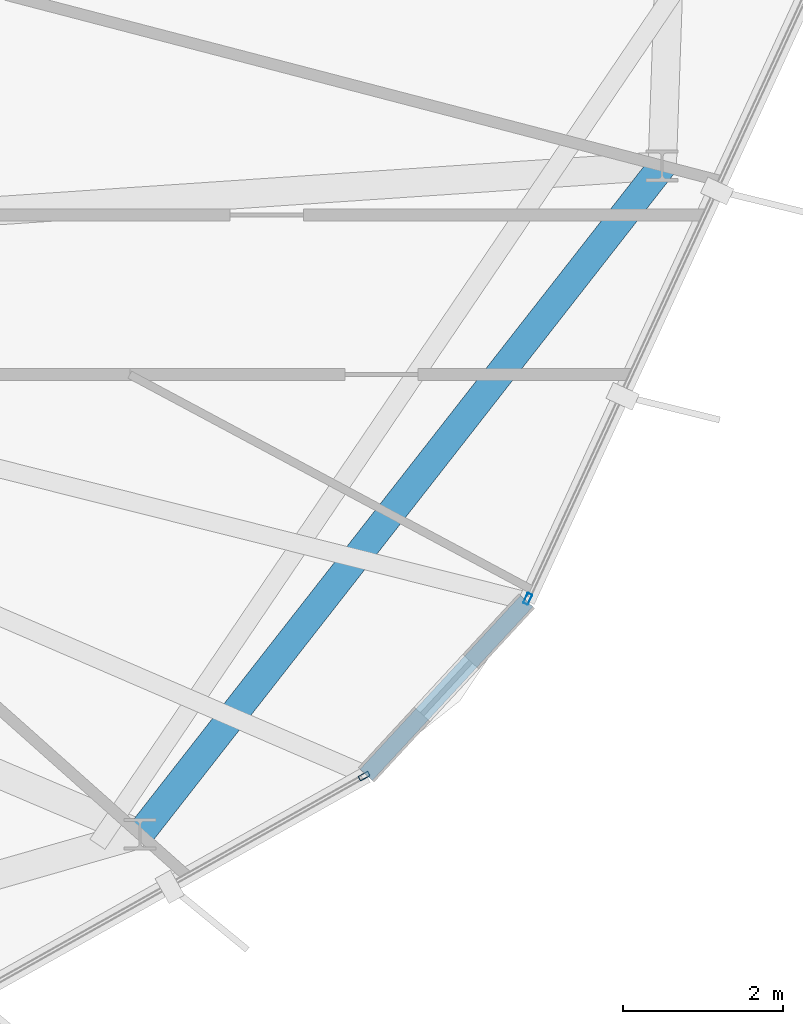
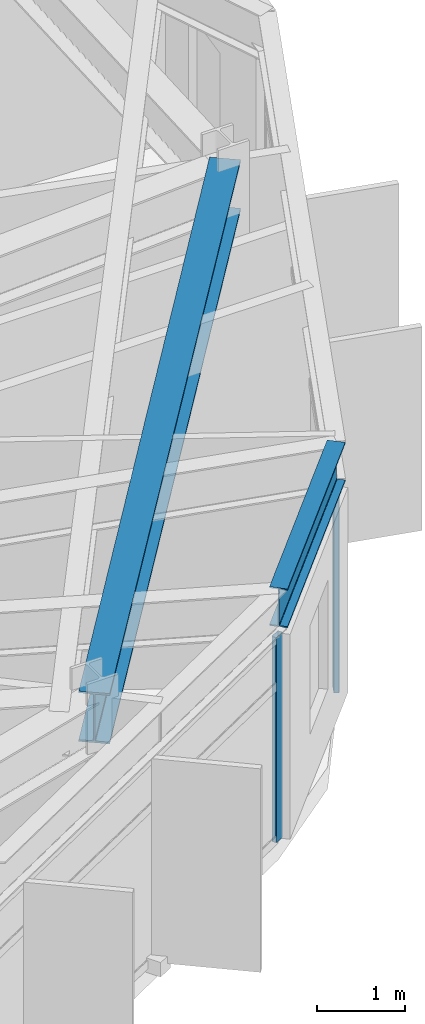
# One storey, part 9 of 25: 2 beams, 2 members, 2 elements without a shape of their own.
"""IFC4 building model written with IfcOpenShell, lengths in metres."""

from ifc_helpers import new_model, si_unit, direction, frame, origin, origin_2d, place, context, subcontext, project, spatial, hollow_rectangle, i_section, extrude, material, layer, layer_set, material_profile, profile_set, type_object, element, aggregate, save


model = new_model("IFC4")

# Units and contexts
model_context = context("Model", 3, precision=1e-05, world=origin(), true_north=direction((0.0, 1.0)))
body_context = subcontext(model_context, "Body", "Model", "MODEL_VIEW")
ifc_project = project(units=[si_unit("LENGTHUNIT", "METRE"), si_unit("AREAUNIT", "SQUARE_METRE"), si_unit("VOLUMEUNIT", "CUBIC_METRE"), si_unit("PLANEANGLEUNIT", "RADIAN"), si_unit("MASSUNIT", "GRAM", prefix="KILO")], contexts=[model_context])

# Site, building, storey
site_placement = place(None, origin())
site = spatial("IfcSite", under=ifc_project, at=site_placement, CompositionType="ELEMENT")
building_placement = place(site_placement, origin())
building = spatial("IfcBuilding", under=site, at=building_placement, Name="Soratama Intermodal Tower", CompositionType="ELEMENT")
storey_placement = place(building_placement, frame((0.0, 0.0, 272.5)))
storey = spatial("IfcBuildingStorey", under=building, at=storey_placement, Name="L69", CompositionType="ELEMENT", Elevation=272.5)

# Beams
ifc_material_1 = material(Name="Structural steel ASTM A992 Grade 50", Category="steel")
ifc_material_profile_1 = material_profile(ifc_material_1, i_section(OverallWidth=0.35498046875, OverallDepth=0.695068359375, WebThickness=0.015380859375, FlangeThickness=0.02490234375, FilletRadius=0.01611328125, at=origin_2d()), Name="W27X146")
ifc_profile_set_1 = profile_set([ifc_material_profile_1], Name="Structural steel ASTM A992 Grade 50")
beam_type_1 = type_object("IfcBeamType", Name="BM-RING-W27X146", PredefinedType="BEAM", material=ifc_profile_set_1)
beam_1_placement = place(storey_placement, frame((54.617919921875, 10.740966796875, 3.1025390625), z_axis=(0.6157278291, 0.787958907858, 0.0), x_axis=(-0.787958907858, 0.6157278291, 0.0)))
element("IfcBeam", 1, at=beam_1_placement, inside=storey, type_object=beam_type_1, Name="BM-L69-RING-09", PredefinedType="BEAM", context=body_context, shape_type="SweptSolid", body=[
    extrude(i_section(OverallWidth=0.35498046875, OverallDepth=0.695068359375, WebThickness=0.015380859375, FlangeThickness=0.02490234375, FilletRadius=0.01611328125, at=origin_2d()), origin(), (0.0, 0.0, 1.0), 10.6298828125),
])
ifc_material_2 = material(Name="Structural steel ASTM A992 Grade 50", Category="steel")
ifc_material_profile_2 = material_profile(ifc_material_2, i_section(OverallWidth=0.2099609375, OverallDepth=0.537109375, WebThickness=0.010986328125, FlangeThickness=0.017333984375, FilletRadius=0.012939453125, at=origin_2d()), Name="W21X68")
ifc_profile_set_2 = profile_set([ifc_material_profile_2], Name="Structural steel ASTM A992 Grade 50")
beam_type_2 = type_object("IfcBeamType", Name="BM-SPN-W21X68", PredefinedType="SPANDREL", material=ifc_profile_set_2)
beam_2_placement = place(storey_placement, frame((57.451904296875, 11.48291015625, 3.181396484375), z_axis=(0.678396327077, 0.734696143592, 0.0), x_axis=(-0.734696143592, 0.678396327077, 0.0)))
element("IfcBeam", 2, at=beam_2_placement, inside=storey, type_object=beam_type_2, Name="BS-L69-CRN07", PredefinedType="SPANDREL", context=body_context, shape_type="SweptSolid", body=[
    extrude(i_section(OverallWidth=0.2099609375, OverallDepth=0.537109375, WebThickness=0.010986328125, FlangeThickness=0.017333984375, FilletRadius=0.012939453125, at=origin_2d()), origin(), (0.0, 0.0, 1.0), 2.966064453125),
])

# Curtain wall, member
ifc_material_3 = material(Name="Double-glazed aluminium curtain wall", Category="aluminium")
ifc_layer = layer(ifc_material_3, 0.159912109375)
ifc_layer_set = layer_set([ifc_layer], Name="Double-glazed aluminium curtain wall")
curtain_wall_type = type_object("IfcCurtainWallType", Name="CW-SYS-5", PredefinedType="NOTDEFINED", material=ifc_layer_set)
curtain_wall_1_placement = place(storey_placement, origin())
curtain_wall_1 = element("IfcCurtainWall", 3, at=curtain_wall_1_placement, inside=storey, type_object=curtain_wall_type, Name="L69 Faceted Curtain Wall F07", PredefinedType="NOTDEFINED")
ifc_material_4 = material(Name="Anodised aluminium AA 6063-T6", Category="aluminium")
ifc_material_profile_3 = material_profile(ifc_material_4, hollow_rectangle(XDim=0.06494140625, YDim=0.139892578125, WallThickness=0.0048828125, InnerFilletRadius=0.0048828125, OuterFilletRadius=0.010009765625, at=origin_2d()), Name="CWM140X65X5")
ifc_profile_set_3 = profile_set([ifc_material_profile_3], Name="Anodised aluminium AA 6063-T6")
member_type = type_object("IfcMemberType", Name="MT-CWM-5", PredefinedType="MULLION", material=ifc_profile_set_3)
member_1_placement = place(storey_placement, frame((57.425537109375, 11.46826171875, 0.0), z_axis=(0.0, 0.0, 1.0), x_axis=(-0.489079409958, 0.872239262333, 0.0)))
member_1 = element("IfcMember", 4, at=member_1_placement, type_object=member_type, Name="CW-5 mullion 2", PredefinedType="MULLION", context=body_context, shape_type="SweptSolid", body=[
    extrude(hollow_rectangle(XDim=0.06494140625, YDim=0.139892578125, WallThickness=0.0048828125, InnerFilletRadius=0.0048828125, OuterFilletRadius=0.010009765625, at=origin_2d()), origin(), (0.0, 0.0, 1.0), 2.8291015625),
])
aggregate(curtain_wall_1, [member_1])

curtain_wall_2_placement = place(storey_placement, origin())
curtain_wall_2 = element("IfcCurtainWall", 5, at=curtain_wall_2_placement, inside=storey, type_object=curtain_wall_type, Name="L69 Faceted Curtain Wall F08", PredefinedType="NOTDEFINED")
member_2_placement = place(storey_placement, frame((59.4765625, 13.689697265625, 0.0), z_axis=(0.0, 0.0, 1.0), x_axis=(-0.908361499734, 0.418185826877, 0.0)))
member_2 = element("IfcMember", 6, at=member_2_placement, type_object=member_type, Name="CW-5 mullion 1", PredefinedType="MULLION", context=body_context, shape_type="SweptSolid", body=[
    extrude(hollow_rectangle(XDim=0.06494140625, YDim=0.139892578125, WallThickness=0.0048828125, InnerFilletRadius=0.0048828125, OuterFilletRadius=0.010009765625, at=origin_2d()), origin(), (0.0, 0.0, 1.0), 2.8291015625),
])
aggregate(curtain_wall_2, [member_2])

save(model, "model.ifc")
